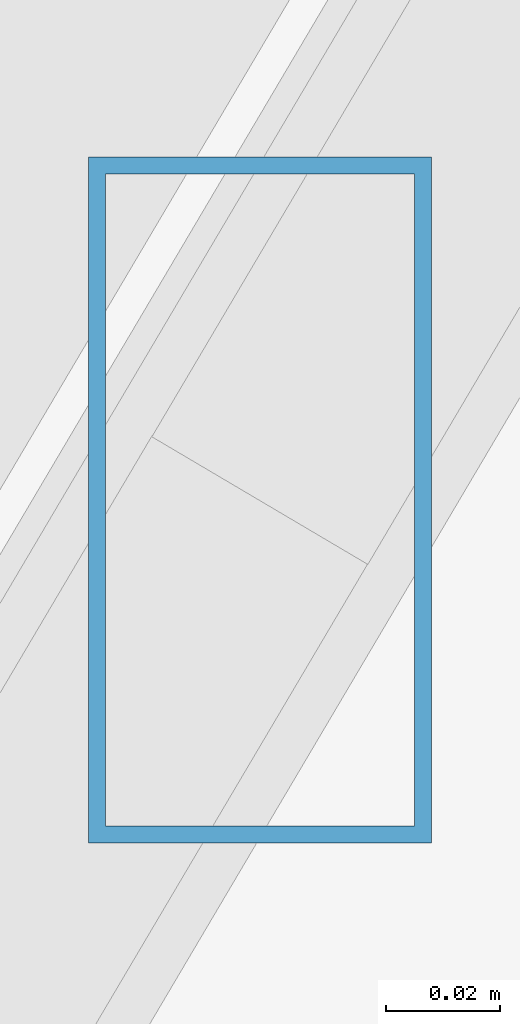
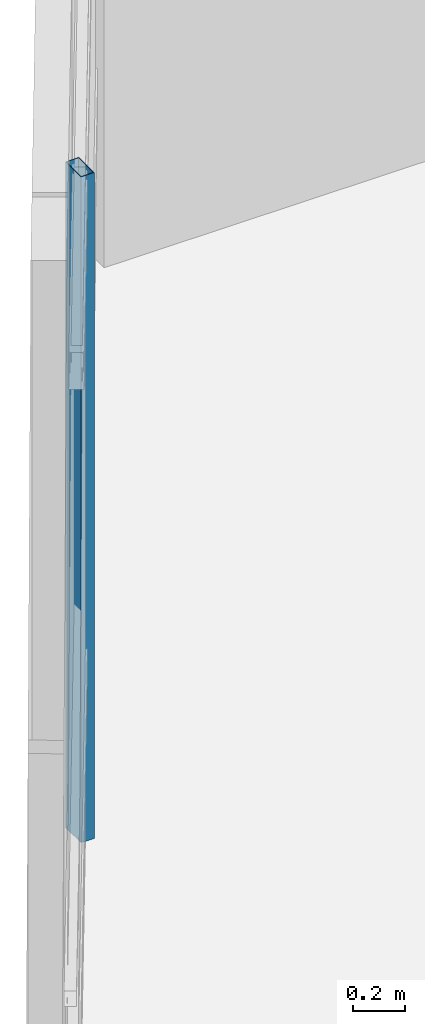
# One storey, part 7 of 47: 1 member, 1 element without a shape of its own.
"""IFC4 building model written with IfcOpenShell, lengths in metres."""

from ifc_helpers import new_model, si_unit, direction, frame, origin, origin_2d, place, context, subcontext, project, spatial, hollow_rectangle, extrude, source, transform, mapped, material, material_profile, profile_set, type_object, type_shapes, element, aggregate, save


model = new_model("IFC4")

# Units and contexts
model_context = context("Model", 3, precision=1e-05, world=origin(), true_north=direction((0.0, 1.0)))
body_context = subcontext(model_context, "Body", "Model", "MODEL_VIEW")
ifc_project = project(units=[si_unit("LENGTHUNIT", "METRE"), si_unit("AREAUNIT", "SQUARE_METRE"), si_unit("VOLUMEUNIT", "CUBIC_METRE"), si_unit("PLANEANGLEUNIT", "RADIAN"), si_unit("MASSUNIT", "GRAM", prefix="KILO")], contexts=[model_context])

# Site, building, storey
site_placement = place(None, origin())
site = spatial("IfcSite", under=ifc_project, at=site_placement, CompositionType="ELEMENT")
building_placement = place(site_placement, origin())
building = spatial("IfcBuilding", under=site, at=building_placement, Name="Caelisora Broadcast Tower", CompositionType="ELEMENT")
storey_placement = place(building_placement, frame((0.0, 0.0, 293.199951171875)))
storey = spatial("IfcBuildingStorey", under=building, at=storey_placement, Name="L77", CompositionType="ELEMENT", Elevation=293.199951171875)

# Curtain wall, member
ifc_material_1 = material(Name="Unitised Aluminium Insulated Shadow-Box Spandrel Curtain Wall", Category="aluminium")
curtain_wall_type = type_object("IfcCurtainWallType", Name="CW-SP3", PredefinedType="NOTDEFINED", material=ifc_material_1)
curtain_wall_placement = place(storey_placement, origin())
curtain_wall = element("IfcCurtainWall", 1, at=curtain_wall_placement, inside=storey, type_object=curtain_wall_type, Name="L77 curtain wall CW-SP3", PredefinedType="NOTDEFINED")
ifc_material_2 = material(Name="Aluminium 6063-T6 Anodised Terracotta Bronze", Category="aluminium")
ifc_material_profile = material_profile(ifc_material_2, hollow_rectangle(XDim=0.06005859375, YDim=0.1201171875, WallThickness=0.0029296875, at=origin_2d()), Name="Aluminium 6063-T6 Anodised Terracotta Bronze")
ifc_profile_set = profile_set([ifc_material_profile], Name="Aluminium 6063-T6 Anodised Terracotta Bronze")
member_type = type_object("IfcMemberType", Name="CWM-04", PredefinedType="MULLION", material=ifc_profile_set)
shared_shape = source(origin(), body_context, "Body", "SweptSolid", [
    extrude(hollow_rectangle(XDim=0.06005859375, YDim=0.1201171875, WallThickness=0.0029296875, at=origin_2d()), origin(), (0.0, 0.0, 1.0), 3.150146484375),
])
type_shapes(member_type, [shared_shape])
member_placement = place(storey_placement, frame((15.68994140625, 16.650146484375, 0.0), z_axis=(0.0, 0.0, 1.0), x_axis=(1.0, 0.0, 0.0)))
member = element("IfcMember", 2, at=member_placement, type_object=member_type, Name="L77-CW-B09 mullion #1", PredefinedType="MULLION", context=body_context, shape_type="MappedRepresentation", body=[
    mapped(shared_shape, transform((0.0, 0.0, 0.0), scale=1.0)),
])
aggregate(curtain_wall, [member])

save(model, "model.ifc")
